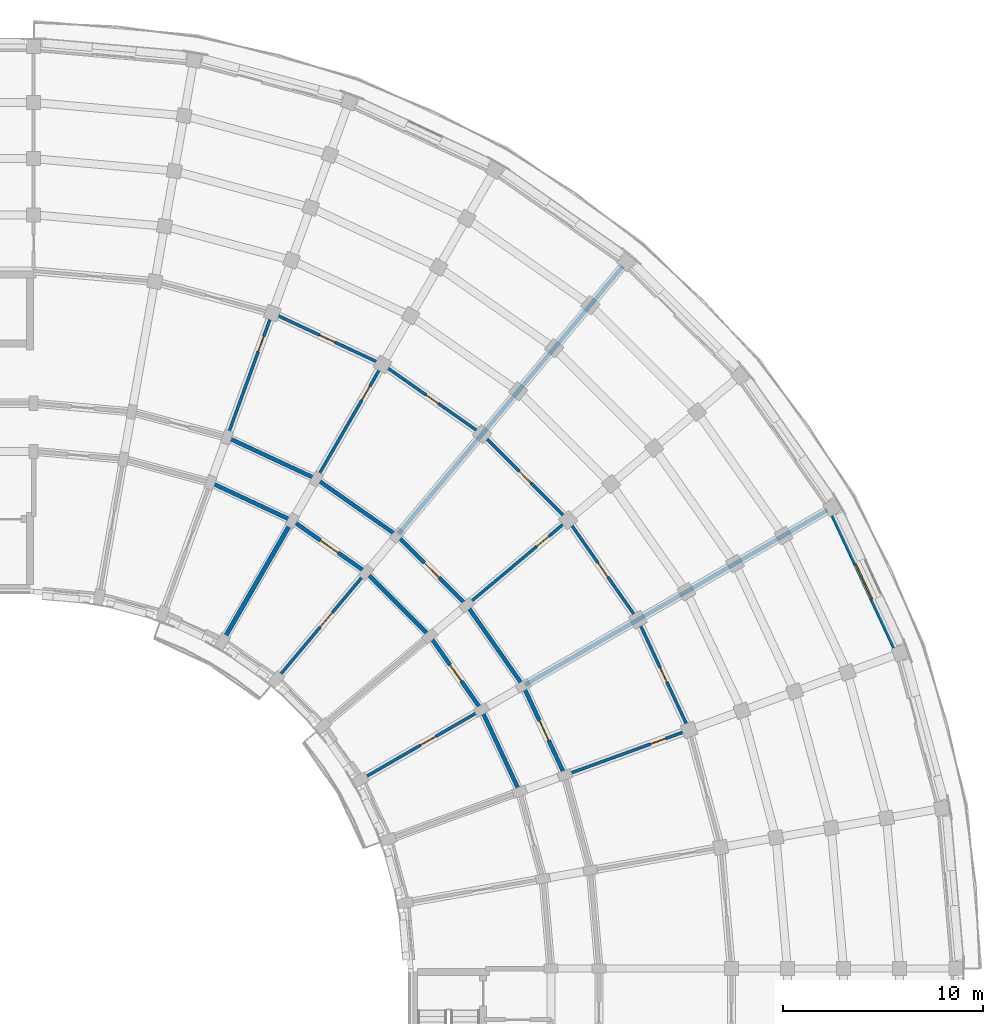
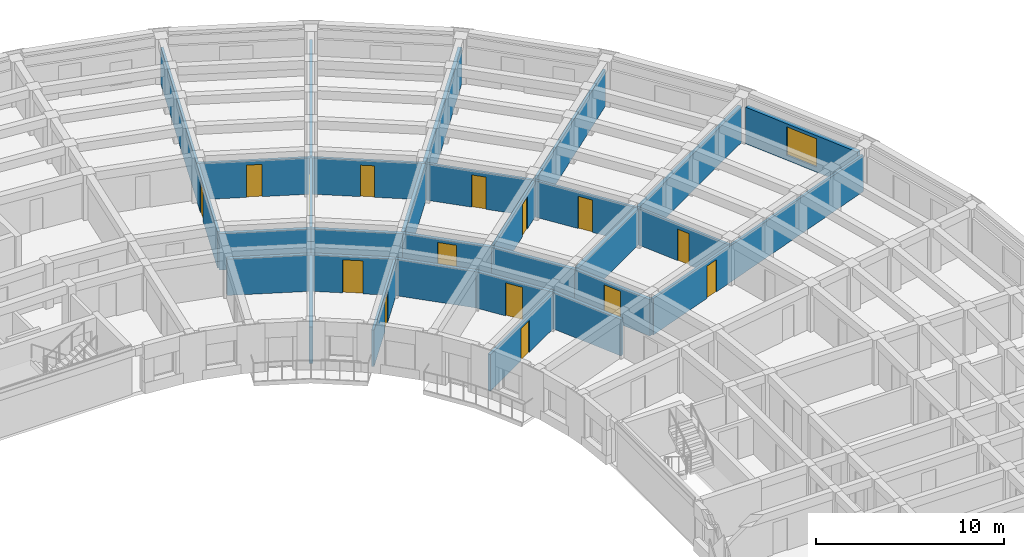
# One storey, part 35 of 57: 25 walls, 15 doors, 1 window, 16 openings.
"""IFC4 building model written with IfcOpenShell, lengths in metres."""

from ifc_helpers import new_model, si_unit, direction, frame, frame_2d, origin, place, context, subcontext, project, spatial, rectangle, extrude, material, layer, layer_set, type_object, element, fill, save


model = new_model("IFC4")

# Units and contexts
model_context = context("Model", 3, precision=1e-05, world=origin(), true_north=direction((0.0, 1.0)))
body_context = subcontext(model_context, "Body", "Model", "MODEL_VIEW")
ifc_project = project(units=[si_unit("LENGTHUNIT", "METRE"), si_unit("AREAUNIT", "SQUARE_METRE"), si_unit("VOLUMEUNIT", "CUBIC_METRE"), si_unit("PLANEANGLEUNIT", "RADIAN"), si_unit("MASSUNIT", "GRAM", prefix="KILO")], contexts=[model_context])

# Site, building, storey
site_placement = place(None, origin())
site = spatial("IfcSite", under=ifc_project, at=site_placement, CompositionType="ELEMENT")
building_placement = place(site_placement, origin())
building = spatial("IfcBuilding", under=site, at=building_placement, Name="Kiranvali Square Residences", CompositionType="ELEMENT")
storey_placement = place(building_placement, frame((0.0, 0.0, 18.14990234375)))
storey = spatial("IfcBuildingStorey", under=building, at=storey_placement, Name="L05", CompositionType="ELEMENT", Elevation=18.14990234375)

# Walls
ifc_material_1 = material(Name="Autoclaved aerated concrete blockwork masonry", Category="masonry")
ifc_layer_1 = layer(ifc_material_1, 0.199951171875)
ifc_layer_set_1 = layer_set([ifc_layer_1], Name="Autoclaved aerated concrete blockwork masonry")
wall_type_1 = type_object("IfcWallType", Name="WL-COR-200", PredefinedType="STANDARD", material=ifc_layer_set_1)
wall_1_placement = place(storey_placement, frame((128.6240234375, 112.044189453125, 0.0), z_axis=(0.0, 0.0, 1.0), x_axis=(0.906307919131, -0.422617978463, 0.0)))
element("IfcWall", 1, at=wall_1_placement, inside=storey, type_object=wall_type_1, Name="L05 architectural wall WL-L05-B-CCI-2", PredefinedType="STANDARD", context=body_context, shape_type="SweptSolid", body=[
    extrude(rectangle(XDim=4.497314453125, YDim=0.199951171875, at=frame_2d((2.24853515625, 0.0))), origin(), (0.0, 0.0, 1.0), 2.3720703125),
])
wall_2_placement = place(storey_placement, frame((129.445068359375, 114.29931640625, 0.0), z_axis=(0.0, 0.0, 1.0), x_axis=(0.906302381024, -0.422629854778, 0.0)))
element("IfcWall", 2, at=wall_2_placement, inside=storey, type_object=wall_type_1, Name="L05 architectural wall WL-L05-B-CCO-2", PredefinedType="STANDARD", context=body_context, shape_type="SweptSolid", body=[
    extrude(rectangle(XDim=4.915283203125, YDim=0.199951171875, at=frame_2d((2.45751953125, 0.0))), origin(), (0.0, 0.0, 1.0), 2.3720703125),
])

# Wall, opening, door
wall_3_placement = place(storey_placement, frame((132.699951171875, 110.1435546875, 0.0), z_axis=(0.0, 0.0, 1.0), x_axis=(0.819155404658, -0.573571637217, 0.0)))
wall_3 = element("IfcWall", 3, at=wall_3_placement, inside=storey, type_object=wall_type_1, Name="L05 architectural wall WL-L05-B-CCI-3", PredefinedType="STANDARD", context=body_context, shape_type="SweptSolid", body=[
    extrude(rectangle(XDim=4.497314453125, YDim=0.199951171875, at=frame_2d((2.24853515625, 0.0))), origin(), (0.0, 0.0, 1.0), 2.3720703125),
])
opening_1_placement = place(wall_3_placement, frame((1.708740234375, 0.0, 0.0)))
opening_1 = element("IfcOpeningElement", 4, at=opening_1_placement, cuts=wall_3, Name="Opening FD-APT-60C", PredefinedType="OPENING", context=body_context, shape_type="SweptSolid", body=[
    extrude(rectangle(XDim=1.080078125, YDim=2.14990234375, at=frame_2d((0.5400390625, 1.074951171875))), frame((0.0, 0.10986328125, 0.0), z_axis=(0.0, -1.0, 0.0), x_axis=(1.0, 0.0, 0.0)), (0.0, 0.0, 1.0), 0.219970703125),
])
ifc_material_2 = material(Name="Fire-rated acoustic hardwood and mineral-core door assembly", Category="wood")
door_type_1 = type_object("IfcDoorType", Name="DR-APT-1080", OperationType="NOTDEFINED", PredefinedType="DOOR", material=ifc_material_2)
door_1_placement = place(opening_1_placement, origin())
door_1 = element("IfcDoor", 5, at=door_1_placement, inside=storey, type_object=door_type_1, Name="L05 door DR-L05-1307 (DR-APT-1080)", OperationType="SINGLE_SWING_LEFT", OverallHeight=2.14990234375, OverallWidth=1.080078125, PredefinedType="DOOR", context=body_context, shape_type="SweptSolid", body=[
    extrude(rectangle(XDim=1.080078125, YDim=2.14990234375, at=frame_2d((0.5400390625, 1.074951171875))), frame((0.0, 0.02490234375, 0.0), z_axis=(0.0, -1.0, 0.0), x_axis=(1.0, 0.0, 0.0)), (0.0, 0.0, 1.0), 0.050048828125),
])
fill(opening_1, door_1)

# Walls
wall_4_placement = place(storey_placement, frame((133.89990234375, 112.221923828125, 0.0), z_axis=(0.0, 0.0, 1.0), x_axis=(0.819140911474, -0.573592335331, 0.0)))
element("IfcWall", 6, at=wall_4_placement, inside=storey, type_object=wall_type_1, Name="L05 architectural wall WL-L05-B-CCO-3", PredefinedType="STANDARD", context=body_context, shape_type="SweptSolid", body=[
    extrude(rectangle(XDim=4.915771484375, YDim=0.199951171875, at=frame_2d((2.4580078125, 0.0))), origin(), (0.0, 0.0, 1.0), 2.3720703125),
])
wall_5_placement = place(storey_placement, frame((136.384033203125, 107.56396484375, 0.0), z_axis=(0.0, 0.0, 1.0), x_axis=(0.707106781187, -0.707106781187, 0.0)))
element("IfcWall", 7, at=wall_5_placement, inside=storey, type_object=wall_type_1, Name="L05 architectural wall WL-L05-B-CCI-4", PredefinedType="STANDARD", context=body_context, shape_type="SweptSolid", body=[
    extrude(rectangle(XDim=4.4970703125, YDim=0.199951171875, at=frame_2d((2.24853515625, 0.0))), origin(), (0.0, 0.0, 1.0), 2.3720703125),
])

# Wall, opening, door
wall_6_placement = place(storey_placement, frame((137.926513671875, 109.40234375, 0.0), z_axis=(0.0, 0.0, 1.0), x_axis=(0.707106781187, -0.707106781187, 0.0)))
wall_6 = element("IfcWall", 8, at=wall_6_placement, inside=storey, type_object=wall_type_1, Name="L05 architectural wall WL-L05-B-CCO-4", PredefinedType="STANDARD", context=body_context, shape_type="SweptSolid", body=[
    extrude(rectangle(XDim=4.91552734375, YDim=0.199951171875, at=frame_2d((2.457763671875, 0.0))), origin(), (0.0, 0.0, 1.0), 2.3720703125),
])
opening_2_placement = place(wall_6_placement, frame((1.937744140625, 0.0, 0.0)))
opening_2 = element("IfcOpeningElement", 9, at=opening_2_placement, cuts=wall_6, Name="Opening FD-APT-60B", PredefinedType="OPENING", context=body_context, shape_type="SweptSolid", body=[
    extrude(rectangle(XDim=1.0400390625, YDim=2.14990234375, at=frame_2d((0.52001953125, 1.074951171875))), frame((0.0, 0.10986328125, 0.0), z_axis=(0.0, -1.0, 0.0), x_axis=(1.0, 0.0, 0.0)), (0.0, 0.0, 1.0), 0.219970703125),
])
door_type_2 = type_object("IfcDoorType", Name="DR-APT-1040", OperationType="NOTDEFINED", PredefinedType="DOOR", material=ifc_material_2)
door_2_placement = place(opening_2_placement, origin())
door_2 = element("IfcDoor", 10, at=door_2_placement, inside=storey, type_object=door_type_2, Name="L05 door DR-L05-1299 (DR-APT-1040)", OperationType="SINGLE_SWING_LEFT", OverallHeight=2.14990234375, OverallWidth=1.0400390625, PredefinedType="DOOR", context=body_context, shape_type="SweptSolid", body=[
    extrude(rectangle(XDim=1.0400390625, YDim=2.14990234375, at=frame_2d((0.52001953125, 1.074951171875))), frame((0.0, 0.02490234375, 0.0), z_axis=(0.0, -1.0, 0.0), x_axis=(1.0, 0.0, 0.0)), (0.0, 0.0, 1.0), 0.050048828125),
])
fill(opening_2, door_2)

wall_7_placement = place(storey_placement, frame((139.56396484375, 104.384033203125, 0.0), z_axis=(0.0, 0.0, 1.0), x_axis=(0.573571637217, -0.819155404658, 0.0)))
wall_7 = element("IfcWall", 11, at=wall_7_placement, inside=storey, type_object=wall_type_1, Name="L05 architectural wall WL-L05-B-CCI-5", PredefinedType="STANDARD", context=body_context, shape_type="SweptSolid", body=[
    extrude(rectangle(XDim=4.497314453125, YDim=0.199951171875, at=frame_2d((2.24853515625, 0.0))), origin(), (0.0, 0.0, 1.0), 2.3720703125),
])
opening_3_placement = place(wall_7_placement, frame((1.74853515625, 0.0, 0.0)))
opening_3 = element("IfcOpeningElement", 12, at=opening_3_placement, cuts=wall_7, Name="Opening FD-APT-60", PredefinedType="OPENING", context=body_context, shape_type="SweptSolid", body=[
    extrude(rectangle(XDim=1.0, YDim=2.14990234375, at=frame_2d((0.5, 1.074951171875))), frame((0.0, 0.10986328125, 0.0), z_axis=(0.0, -1.0, 0.0), x_axis=(1.0, 0.0, 0.0)), (0.0, 0.0, 1.0), 0.219970703125),
])
door_type_3 = type_object("IfcDoorType", Name="DR-APT-1000", OperationType="NOTDEFINED", PredefinedType="DOOR", material=ifc_material_2)
door_3_placement = place(opening_3_placement, frame((1.0, 0.0, 0.0), z_axis=(0.0, 0.0, 1.0), x_axis=(-1.0, 0.0, 0.0)))
door_3 = element("IfcDoor", 13, at=door_3_placement, inside=storey, type_object=door_type_3, Name="L05 door DR-L05-1308 (DR-APT-1000)", OperationType="SINGLE_SWING_RIGHT", OverallHeight=2.14990234375, OverallWidth=1.0, PredefinedType="DOOR", context=body_context, shape_type="SweptSolid", body=[
    extrude(rectangle(XDim=1.0, YDim=2.14990234375, at=frame_2d((0.5, 1.074951171875))), frame((0.0, 0.02490234375, 0.0), z_axis=(0.0, -1.0, 0.0), x_axis=(1.0, 0.0, 0.0)), (0.0, 0.0, 1.0), 0.050048828125),
])
fill(opening_3, door_3)

# Walls
wall_8_placement = place(storey_placement, frame((141.40234375, 105.926513671875, 0.0), z_axis=(0.0, 0.0, 1.0), x_axis=(0.573592335331, -0.819140911474, 0.0)))
element("IfcWall", 14, at=wall_8_placement, inside=storey, type_object=wall_type_1, Name="L05 architectural wall WL-L05-B-CCO-5", PredefinedType="STANDARD", context=body_context, shape_type="SweptSolid", body=[
    extrude(rectangle(XDim=4.915771484375, YDim=0.199951171875, at=frame_2d((2.4580078125, 0.0))), origin(), (0.0, 0.0, 1.0), 2.3720703125),
])
wall_9_placement = place(storey_placement, frame((142.1435546875, 100.699951171875, 0.0), z_axis=(0.0, 0.0, 1.0), x_axis=(0.422617978463, -0.906307919131, 0.0)))
element("IfcWall", 15, at=wall_9_placement, inside=storey, type_object=wall_type_1, Name="L05 architectural wall WL-L05-B-CCI-6", PredefinedType="STANDARD", context=body_context, shape_type="SweptSolid", body=[
    extrude(rectangle(XDim=4.497314453125, YDim=0.199951171875, at=frame_2d((2.24853515625, 0.0))), origin(), (0.0, 0.0, 1.0), 2.3720703125),
])

# Wall, opening, door
wall_10_placement = place(storey_placement, frame((144.221923828125, 101.89990234375, 0.0), z_axis=(0.0, 0.0, 1.0), x_axis=(0.422629854778, -0.906302381024, 0.0)))
wall_10 = element("IfcWall", 16, at=wall_10_placement, inside=storey, type_object=wall_type_1, Name="L05 architectural wall WL-L05-B-CCO-6", PredefinedType="STANDARD", context=body_context, shape_type="SweptSolid", body=[
    extrude(rectangle(XDim=4.915283203125, YDim=0.199951171875, at=frame_2d((2.45751953125, 0.0))), origin(), (0.0, 0.0, 1.0), 2.3720703125),
])
opening_4_placement = place(wall_10_placement, frame((1.917724609375, 0.0, 0.0)))
opening_4 = element("IfcOpeningElement", 17, at=opening_4_placement, cuts=wall_10, Name="Opening FD-APT-60C", PredefinedType="OPENING", context=body_context, shape_type="SweptSolid", body=[
    extrude(rectangle(XDim=1.080078125, YDim=2.14990234375, at=frame_2d((0.5400390625, 1.074951171875))), frame((0.0, 0.10986328125, 0.0), z_axis=(0.0, -1.0, 0.0), x_axis=(1.0, 0.0, 0.0)), (0.0, 0.0, 1.0), 0.219970703125),
])
door_4_placement = place(opening_4_placement, frame((1.080078125, 0.0, 0.0), z_axis=(0.0, 0.0, 1.0), x_axis=(-1.0, 0.0, 0.0)))
door_4 = element("IfcDoor", 18, at=door_4_placement, inside=storey, type_object=door_type_1, Name="L05 door DR-L05-1302 (DR-APT-1080)", OperationType="SINGLE_SWING_RIGHT", OverallHeight=2.14990234375, OverallWidth=1.080078125, PredefinedType="DOOR", context=body_context, shape_type="SweptSolid", body=[
    extrude(rectangle(XDim=1.080078125, YDim=2.14990234375, at=frame_2d((0.5400390625, 1.074951171875))), frame((0.0, 0.02490234375, 0.0), z_axis=(0.0, -1.0, 0.0), x_axis=(1.0, 0.0, 0.0)), (0.0, 0.0, 1.0), 0.050048828125),
])
fill(opening_4, door_4)

# Walls
ifc_layer_2 = layer(ifc_material_1, 0.219970703125)
ifc_layer_set_2 = layer_set([ifc_layer_2], Name="Autoclaved aerated concrete blockwork masonry")
wall_type_2 = type_object("IfcWallType", Name="WL-DEM-220", PredefinedType="STANDARD", material=ifc_layer_set_2)
wall_11_placement = place(storey_placement, frame((129.300048828125, 104.25439453125, 0.0), z_axis=(0.0, 0.0, 1.0), x_axis=(0.499997969693, 0.866026575979, 0.0)))
element("IfcWall", 19, at=wall_11_placement, inside=storey, type_object=wall_type_2, Name="L05 architectural wall WL-L05-B-RADI-3", PredefinedType="STANDARD", context=body_context, shape_type="SweptSolid", body=[
    extrude(rectangle(XDim=6.75, YDim=0.219970703125, at=frame_2d((3.375, 0.0))), origin(), (0.0, 0.0, 1.0), 2.3720703125),
])
for number, where, z_axis, x_axis, name in (
    (20, (137.990966796875, 109.47900390625, 0.0), (0.0, 0.0, 1.0), (0.642784757967, 0.766046835987, 0.0), "L05 architectural wall WL-L05-B-RADO-4"),
    (21, (144.30859375, 101.949951171875, 0.0), (0.0, 0.0, 1.0), (0.866026648973, 0.499997843263, 0.0), "L05 architectural wall WL-L05-B-RADO-6"),
):
    element("IfcWall", number, at=place(storey_placement, frame(where, z_axis=z_axis, x_axis=x_axis)), inside=storey, type_object=wall_type_2, Name=name, PredefinedType="STANDARD", context=body_context, shape_type="SweptSolid", body=[
        extrude(rectangle(XDim=17.419921875, YDim=0.219970703125, at=frame_2d((8.7099609375, 0.0))), origin(), (0.0, 0.0, 1.0), 2.3720703125),
    ])

# Wall, opening, window
ifc_material_3 = material(Name="Breathable lime-rendered clay brick masonry", Category="masonry")
ifc_layer_3 = layer(ifc_material_3, 0.25)
ifc_layer_set_3 = layer_set([ifc_layer_3], Name="Breathable lime-rendered clay brick masonry")
wall_type_3 = type_object("IfcWallType", Name="WL-EXT-250", PredefinedType="STANDARD", material=ifc_layer_set_3)
wall_12_placement = place(storey_placement, frame((159.6826171875, 110.406494140625, 0.0), z_axis=(0.0, 0.0, 1.0), x_axis=(0.422627946127, -0.90630327107, 0.0)))
wall_12 = element("IfcWall", 22, at=wall_12_placement, inside=storey, type_object=wall_type_3, Name="L05 exterior wall B-L05-CRV-06", PredefinedType="STANDARD", context=body_context, shape_type="SweptSolid", body=[
    extrude(rectangle(XDim=7.2666015625, YDim=0.25, at=frame_2d((3.63330078125, 0.0))), origin(), (0.0, 0.0, 1.0), 2.3720703125),
])
opening_5_placement = place(wall_12_placement, frame((2.658447265625, 0.0, 0.322021484375)))
opening_5 = element("IfcOpeningElement", 23, at=opening_5_placement, cuts=wall_12, Name="Opening W-12", PredefinedType="OPENING", context=body_context, shape_type="SweptSolid", body=[
    extrude(rectangle(XDim=1.949951171875, YDim=1.85009765625, at=frame_2d((0.97509765625, 0.925048828125))), frame((0.0, 0.135009765625, 0.0), z_axis=(0.0, -1.0, 0.0), x_axis=(1.0, 0.0, 0.0)), (0.0, 0.0, 1.0), 0.27001953125),
])
ifc_material_4 = material(Name="Solar-control low-e double glazing", Category="glass")
window_type = type_object("IfcWindowType", Name="WIN-RES-1950x1850", PartitioningType="DOUBLE_PANEL_VERTICAL", PredefinedType="WINDOW", material=ifc_material_4)
window_placement = place(opening_5_placement, origin())
window = element("IfcWindow", 24, at=window_placement, inside=storey, type_object=window_type, Name="L05 recessed window B-L05-CRV-06", OverallHeight=1.85009765625, OverallWidth=1.949951171875, PartitioningType="DOUBLE_PANEL_VERTICAL", PredefinedType="WINDOW", context=body_context, shape_type="SweptSolid", body=[
    extrude(rectangle(XDim=1.949951171875, YDim=1.85009765625, at=frame_2d((0.97509765625, 0.925048828125))), frame((0.0, 0.030029296875, 0.0), z_axis=(0.0, -1.0, 0.0), x_axis=(1.0, 0.0, 0.0)), (0.0, 0.0, 1.0), 0.06005859375),
])
fill(opening_5, window)

# Wall, opening, door
ifc_material_5 = material(Name="Acoustic gypsum board drylined partition", Category="gypsum")
ifc_layer_4 = layer(ifc_material_5, 0.14990234375)
ifc_layer_set_4 = layer_set([ifc_layer_4], Name="Acoustic gypsum board drylined partition")
wall_type_4 = type_object("IfcWallType", Name="WL-PRT-150", PredefinedType="PARTITIONING", material=ifc_layer_set_4)
wall_13_placement = place(storey_placement, frame((129.479248046875, 114.393310546875, 0.0), z_axis=(0.0, 0.0, 1.0), x_axis=(0.342022120477, 0.939691901159, 0.0)))
wall_13 = element("IfcWall", 25, at=wall_13_placement, inside=storey, type_object=wall_type_4, Name="L05 architectural wall WL-L05-B-RADO-2", PredefinedType="PARTITIONING", context=body_context, shape_type="SweptSolid", body=[
    extrude(rectangle(XDim=17.419921875, YDim=0.14990234375, at=frame_2d((8.7099609375, 0.0))), origin(), (0.0, 0.0, 1.0), 2.3720703125),
])
opening_6_placement = place(wall_13_placement, frame((4.44970703125, 0.0, 0.0)))
opening_6 = element("IfcOpeningElement", 26, at=opening_6_placement, cuts=wall_13, Name="Opening ID-WET", PredefinedType="OPENING", context=body_context, shape_type="SweptSolid", body=[
    extrude(rectangle(XDim=0.800048828125, YDim=2.10009765625, at=frame_2d((0.39990234375, 1.050048828125))), frame((0.0, 0.0849609375, 0.0), z_axis=(0.0, -1.0, 0.0), x_axis=(1.0, 0.0, 0.0)), (0.0, 0.0, 1.0), 0.169921875),
])
ifc_material_6 = material(Name="Solid seasoned teak hardwood joinery", Category="wood")
door_type_4 = type_object("IfcDoorType", Name="DR-WET-800", OperationType="NOTDEFINED", PredefinedType="DOOR", material=ifc_material_6)
door_5_placement = place(opening_6_placement, origin())
door_5 = element("IfcDoor", 27, at=door_5_placement, inside=storey, type_object=door_type_4, Name="L05 door DR-L05-1285 (DR-WET-800)", OperationType="SINGLE_SWING_LEFT", OverallHeight=2.10009765625, OverallWidth=0.800048828125, PredefinedType="DOOR", context=body_context, shape_type="SweptSolid", body=[
    extrude(rectangle(XDim=0.800048828125, YDim=2.10009765625, at=frame_2d((0.39990234375, 1.050048828125))), frame((0.0, 0.02490234375, 0.0), z_axis=(0.0, -1.0, 0.0), x_axis=(1.0, 0.0, 0.0)), (0.0, 0.0, 1.0), 0.050048828125),
])
fill(opening_6, door_5)

wall_14_placement = place(storey_placement, frame((133.949951171875, 112.30859375, 0.0), z_axis=(0.0, 0.0, 1.0), x_axis=(0.499997843263, 0.866026648973, 0.0)))
wall_14 = element("IfcWall", 28, at=wall_14_placement, inside=storey, type_object=wall_type_4, Name="L05 architectural wall WL-L05-B-RADO-3", PredefinedType="PARTITIONING", context=body_context, shape_type="SweptSolid", body=[
    extrude(rectangle(XDim=17.419921875, YDim=0.14990234375, at=frame_2d((8.7099609375, 0.0))), origin(), (0.0, 0.0, 1.0), 2.3720703125),
])
opening_7_placement = place(wall_14_placement, frame((4.44970703125, 0.0, 0.0)))
opening_7 = element("IfcOpeningElement", 29, at=opening_7_placement, cuts=wall_14, Name="Opening ID-WET", PredefinedType="OPENING", context=body_context, shape_type="SweptSolid", body=[
    extrude(rectangle(XDim=0.800048828125, YDim=2.10009765625, at=frame_2d((0.39990234375, 1.050048828125))), frame((0.0, 0.0849609375, 0.0), z_axis=(0.0, -1.0, 0.0), x_axis=(1.0, 0.0, 0.0)), (0.0, 0.0, 1.0), 0.169921875),
])
door_6_placement = place(opening_7_placement, frame((0.800048828125, 0.0, 0.0), z_axis=(0.0, 0.0, 1.0), x_axis=(-1.0, 0.0, 0.0)))
door_6 = element("IfcDoor", 30, at=door_6_placement, inside=storey, type_object=door_type_4, Name="L05 door DR-L05-1286 (DR-WET-800)", OperationType="SINGLE_SWING_RIGHT", OverallHeight=2.10009765625, OverallWidth=0.800048828125, PredefinedType="DOOR", context=body_context, shape_type="SweptSolid", body=[
    extrude(rectangle(XDim=0.800048828125, YDim=2.10009765625, at=frame_2d((0.39990234375, 1.050048828125))), frame((0.0, 0.02490234375, 0.0), z_axis=(0.0, -1.0, 0.0), x_axis=(1.0, 0.0, 0.0)), (0.0, 0.0, 1.0), 0.050048828125),
])
fill(opening_7, door_6)

wall_15_placement = place(storey_placement, frame((132.012939453125, 102.354736328125, 0.0), z_axis=(0.0, 0.0, 1.0), x_axis=(0.642784846501, 0.766046761698, 0.0)))
wall_15 = element("IfcWall", 31, at=wall_15_placement, inside=storey, type_object=wall_type_4, Name="L05 architectural wall WL-L05-B-RADI-4", PredefinedType="PARTITIONING", context=body_context, shape_type="SweptSolid", body=[
    extrude(rectangle(XDim=6.75, YDim=0.14990234375, at=frame_2d((3.375, 0.0))), origin(), (0.0, 0.0, 1.0), 2.3720703125),
])
opening_8_placement = place(wall_15_placement, frame((3.242431640625, 0.0, 0.0)))
opening_8 = element("IfcOpeningElement", 32, at=opening_8_placement, cuts=wall_15, Name="Opening ID-2", PredefinedType="OPENING", context=body_context, shape_type="SweptSolid", body=[
    extrude(rectangle(XDim=0.93994140625, YDim=2.10009765625, at=frame_2d((0.469970703125, 1.050048828125))), frame((0.0, 0.0849609375, 0.0), z_axis=(0.0, -1.0, 0.0), x_axis=(1.0, 0.0, 0.0)), (0.0, 0.0, 1.0), 0.169921875),
])
door_type_5 = type_object("IfcDoorType", Name="DR-INT-940", OperationType="NOTDEFINED", PredefinedType="DOOR", material=ifc_material_6)
door_7_placement = place(opening_8_placement, origin())
door_7 = element("IfcDoor", 33, at=door_7_placement, inside=storey, type_object=door_type_5, Name="L05 door DR-L05-1287 (DR-INT-940)", OperationType="SINGLE_SWING_LEFT", OverallHeight=2.10009765625, OverallWidth=0.93994140625, PredefinedType="DOOR", context=body_context, shape_type="SweptSolid", body=[
    extrude(rectangle(XDim=0.93994140625, YDim=2.10009765625, at=frame_2d((0.469970703125, 1.050048828125))), frame((0.0, 0.02490234375, 0.0), z_axis=(0.0, -1.0, 0.0), x_axis=(1.0, 0.0, 0.0)), (0.0, 0.0, 1.0), 0.050048828125),
])
fill(opening_8, door_7)

wall_16_placement = place(storey_placement, frame((141.47900390625, 105.990966796875, 0.0), z_axis=(0.0, 0.0, 1.0), x_axis=(0.766046835987, 0.642784757967, 0.0)))
wall_16 = element("IfcWall", 34, at=wall_16_placement, inside=storey, type_object=wall_type_4, Name="L05 architectural wall WL-L05-B-RADO-5", PredefinedType="PARTITIONING", context=body_context, shape_type="SweptSolid", body=[
    extrude(rectangle(XDim=17.419921875, YDim=0.14990234375, at=frame_2d((8.7099609375, 0.0))), origin(), (0.0, 0.0, 1.0), 2.3720703125),
])
opening_9_placement = place(wall_16_placement, frame((4.44970703125, 0.0, 0.0)))
opening_9 = element("IfcOpeningElement", 35, at=opening_9_placement, cuts=wall_16, Name="Opening ID-WET", PredefinedType="OPENING", context=body_context, shape_type="SweptSolid", body=[
    extrude(rectangle(XDim=0.800048828125, YDim=2.10009765625, at=frame_2d((0.39990234375, 1.050048828125))), frame((0.0, 0.0849609375, 0.0), z_axis=(0.0, -1.0, 0.0), x_axis=(1.0, 0.0, 0.0)), (0.0, 0.0, 1.0), 0.169921875),
])
door_8_placement = place(opening_9_placement, frame((0.800048828125, 0.0, 0.0), z_axis=(0.0, 0.0, 1.0), x_axis=(-1.0, 0.0, 0.0)))
door_8 = element("IfcDoor", 36, at=door_8_placement, inside=storey, type_object=door_type_4, Name="L05 door DR-L05-1288 (DR-WET-800)", OperationType="SINGLE_SWING_RIGHT", OverallHeight=2.10009765625, OverallWidth=0.800048828125, PredefinedType="DOOR", context=body_context, shape_type="SweptSolid", body=[
    extrude(rectangle(XDim=0.800048828125, YDim=2.10009765625, at=frame_2d((0.39990234375, 1.050048828125))), frame((0.0, 0.02490234375, 0.0), z_axis=(0.0, -1.0, 0.0), x_axis=(1.0, 0.0, 0.0)), (0.0, 0.0, 1.0), 0.050048828125),
])
fill(opening_9, door_8)

wall_17_placement = place(storey_placement, frame((136.25439453125, 97.300048828125, 0.0), z_axis=(0.0, 0.0, 1.0), x_axis=(0.866026575979, 0.499997969693, 0.0)))
wall_17 = element("IfcWall", 37, at=wall_17_placement, inside=storey, type_object=wall_type_4, Name="L05 architectural wall WL-L05-B-RADI-6", PredefinedType="PARTITIONING", context=body_context, shape_type="SweptSolid", body=[
    extrude(rectangle(XDim=6.75, YDim=0.14990234375, at=frame_2d((3.375, 0.0))), origin(), (0.0, 0.0, 1.0), 2.3720703125),
])
opening_10_placement = place(wall_17_placement, frame((3.262451171875, 0.0, 0.0)))
opening_10 = element("IfcOpeningElement", 38, at=opening_10_placement, cuts=wall_17, Name="Opening ID-1", PredefinedType="OPENING", context=body_context, shape_type="SweptSolid", body=[
    extrude(rectangle(XDim=0.89990234375, YDim=2.10009765625, at=frame_2d((0.449951171875, 1.050048828125))), frame((0.0, 0.0849609375, 0.0), z_axis=(0.0, -1.0, 0.0), x_axis=(1.0, 0.0, 0.0)), (0.0, 0.0, 1.0), 0.169921875),
])
door_type_6 = type_object("IfcDoorType", Name="DR-INT-900", OperationType="NOTDEFINED", PredefinedType="DOOR", material=ifc_material_6)
door_9_placement = place(opening_10_placement, origin())
door_9 = element("IfcDoor", 39, at=door_9_placement, inside=storey, type_object=door_type_6, Name="L05 door DR-L05-1289 (DR-INT-900)", OperationType="SINGLE_SWING_LEFT", OverallHeight=2.10009765625, OverallWidth=0.89990234375, PredefinedType="DOOR", context=body_context, shape_type="SweptSolid", body=[
    extrude(rectangle(XDim=0.89990234375, YDim=2.10009765625, at=frame_2d((0.449951171875, 1.050048828125))), frame((0.0, 0.02490234375, 0.0), z_axis=(0.0, -1.0, 0.0), x_axis=(1.0, 0.0, 0.0)), (0.0, 0.0, 1.0), 0.050048828125),
])
fill(opening_10, door_9)

wall_18_placement = place(storey_placement, frame((146.393310546875, 97.479248046875, 0.0), z_axis=(0.0, 0.0, 1.0), x_axis=(0.939691901159, 0.342022120477, 0.0)))
wall_18 = element("IfcWall", 40, at=wall_18_placement, inside=storey, type_object=wall_type_4, Name="L05 architectural wall WL-L05-B-RADO-7", PredefinedType="PARTITIONING", context=body_context, shape_type="SweptSolid", body=[
    extrude(rectangle(XDim=17.419921875, YDim=0.14990234375, at=frame_2d((8.7099609375, 0.0))), origin(), (0.0, 0.0, 1.0), 2.3720703125),
])
opening_11_placement = place(wall_18_placement, frame((4.44970703125, 0.0, 0.0)))
opening_11 = element("IfcOpeningElement", 41, at=opening_11_placement, cuts=wall_18, Name="Opening ID-WET", PredefinedType="OPENING", context=body_context, shape_type="SweptSolid", body=[
    extrude(rectangle(XDim=0.800048828125, YDim=2.10009765625, at=frame_2d((0.39990234375, 1.050048828125))), frame((0.0, 0.0849609375, 0.0), z_axis=(0.0, -1.0, 0.0), x_axis=(1.0, 0.0, 0.0)), (0.0, 0.0, 1.0), 0.169921875),
])
door_10_placement = place(opening_11_placement, frame((0.800048828125, 0.0, 0.0), z_axis=(0.0, 0.0, 1.0), x_axis=(-1.0, 0.0, 0.0)))
door_10 = element("IfcDoor", 42, at=door_10_placement, inside=storey, type_object=door_type_4, Name="L05 door DR-L05-1290 (DR-WET-800)", OperationType="SINGLE_SWING_RIGHT", OverallHeight=2.10009765625, OverallWidth=0.800048828125, PredefinedType="DOOR", context=body_context, shape_type="SweptSolid", body=[
    extrude(rectangle(XDim=0.800048828125, YDim=2.10009765625, at=frame_2d((0.39990234375, 1.050048828125))), frame((0.0, 0.02490234375, 0.0), z_axis=(0.0, -1.0, 0.0), x_axis=(1.0, 0.0, 0.0)), (0.0, 0.0, 1.0), 0.050048828125),
])
fill(opening_11, door_10)

ifc_layer_5 = layer(ifc_material_1, 0.14990234375)
ifc_layer_set_5 = layer_set([ifc_layer_5], Name="Autoclaved aerated concrete blockwork masonry")
wall_type_5 = type_object("IfcWallType", Name="WL-WET-150", PredefinedType="PLUMBINGWALL", material=ifc_layer_set_5)
wall_19_placement = place(storey_placement, frame((131.702392578125, 120.501220703125, 0.0), z_axis=(0.0, 0.0, 1.0), x_axis=(0.906312656069, -0.42260781991, 0.0)))
wall_19 = element("IfcWall", 43, at=wall_19_placement, inside=storey, type_object=wall_type_5, Name="L05 architectural wall WL-L05-B-CWET-2", PredefinedType="PLUMBINGWALL", context=body_context, shape_type="SweptSolid", body=[
    extrude(rectangle(XDim=6.06591796875, YDim=0.14990234375, at=frame_2d((3.032958984375, 0.0))), origin(), (0.0, 0.0, 1.0), 2.3720703125),
])
opening_12_placement = place(wall_19_placement, frame((2.613037109375, 0.0, 0.0)))
opening_12 = element("IfcOpeningElement", 44, at=opening_12_placement, cuts=wall_19, Name="Opening ID-WET2", PredefinedType="OPENING", context=body_context, shape_type="SweptSolid", body=[
    extrude(rectangle(XDim=0.840087890625, YDim=2.10009765625, at=frame_2d((0.419921875, 1.050048828125))), frame((0.0, 0.0849609375, 0.0), z_axis=(0.0, -1.0, 0.0), x_axis=(1.0, 0.0, 0.0)), (0.0, 0.0, 1.0), 0.169921875),
])
door_type_7 = type_object("IfcDoorType", Name="DR-WET-840", OperationType="NOTDEFINED", PredefinedType="DOOR", material=ifc_material_6)
door_11_placement = place(opening_12_placement, origin())
door_11 = element("IfcDoor", 45, at=door_11_placement, inside=storey, type_object=door_type_7, Name="L05 door DR-L05-1297 (DR-WET-840)", OperationType="SINGLE_SWING_LEFT", OverallHeight=2.10009765625, OverallWidth=0.840087890625, PredefinedType="DOOR", context=body_context, shape_type="SweptSolid", body=[
    extrude(rectangle(XDim=0.840087890625, YDim=2.10009765625, at=frame_2d((0.419921875, 1.050048828125))), frame((0.0, 0.02490234375, 0.0), z_axis=(0.0, -1.0, 0.0), x_axis=(1.0, 0.0, 0.0)), (0.0, 0.0, 1.0), 0.050048828125),
])
fill(opening_12, door_11)

wall_20_placement = place(storey_placement, frame((137.199951171875, 117.937744140625, 0.0), z_axis=(0.0, 0.0, 1.0), x_axis=(0.81913926159, -0.573594691504, 0.0)))
wall_20 = element("IfcWall", 46, at=wall_20_placement, inside=storey, type_object=wall_type_5, Name="L05 architectural wall WL-L05-B-CWET-3", PredefinedType="PLUMBINGWALL", context=body_context, shape_type="SweptSolid", body=[
    extrude(rectangle(XDim=6.066162109375, YDim=0.14990234375, at=frame_2d((3.033203125, 0.0))), origin(), (0.0, 0.0, 1.0), 2.3720703125),
])
opening_13_placement = place(wall_20_placement, frame((2.653076171875, 0.0, 0.0)))
opening_13 = element("IfcOpeningElement", 47, at=opening_13_placement, cuts=wall_20, Name="Opening ID-WET0", PredefinedType="OPENING", context=body_context, shape_type="SweptSolid", body=[
    extrude(rectangle(XDim=0.760009765625, YDim=2.050048828125, at=frame_2d((0.3798828125, 1.02490234375))), frame((0.0, 0.0849609375, 0.0), z_axis=(0.0, -1.0, 0.0), x_axis=(1.0, 0.0, 0.0)), (0.0, 0.0, 1.0), 0.169921875),
])
door_type_8 = type_object("IfcDoorType", Name="DR-WET-760", OperationType="NOTDEFINED", PredefinedType="DOOR", material=ifc_material_6)
door_12_placement = place(opening_13_placement, frame((0.760009765625, 0.0, 0.0), z_axis=(0.0, 0.0, 1.0), x_axis=(-1.0, 0.0, 0.0)))
door_12 = element("IfcDoor", 48, at=door_12_placement, inside=storey, type_object=door_type_8, Name="L05 door DR-L05-1298 (DR-WET-760)", OperationType="SINGLE_SWING_RIGHT", OverallHeight=2.050048828125, OverallWidth=0.760009765625, PredefinedType="DOOR", context=body_context, shape_type="SweptSolid", body=[
    extrude(rectangle(XDim=0.760009765625, YDim=2.050048828125, at=frame_2d((0.3798828125, 1.02490234375))), frame((0.0, 0.02490234375, 0.0), z_axis=(0.0, -1.0, 0.0), x_axis=(1.0, 0.0, 0.0)), (0.0, 0.0, 1.0), 0.050048828125),
])
fill(opening_13, door_12)

wall_21_placement = place(storey_placement, frame((142.1689453125, 114.458251953125, 0.0), z_axis=(0.0, 0.0, 1.0), x_axis=(0.707106781187, -0.707106781187, 0.0)))
wall_21 = element("IfcWall", 49, at=wall_21_placement, inside=storey, type_object=wall_type_5, Name="L05 architectural wall WL-L05-B-CWET-4", PredefinedType="PLUMBINGWALL", context=body_context, shape_type="SweptSolid", body=[
    extrude(rectangle(XDim=6.06591796875, YDim=0.14990234375, at=frame_2d((3.032958984375, 0.0))), origin(), (0.0, 0.0, 1.0), 2.3720703125),
])
opening_14_placement = place(wall_21_placement, frame((2.633056640625, 0.0, 0.0)))
opening_14 = element("IfcOpeningElement", 50, at=opening_14_placement, cuts=wall_21, Name="Opening ID-WET", PredefinedType="OPENING", context=body_context, shape_type="SweptSolid", body=[
    extrude(rectangle(XDim=0.800048828125, YDim=2.10009765625, at=frame_2d((0.39990234375, 1.050048828125))), frame((0.0, 0.0849609375, 0.0), z_axis=(0.0, -1.0, 0.0), x_axis=(1.0, 0.0, 0.0)), (0.0, 0.0, 1.0), 0.169921875),
])
door_13_placement = place(opening_14_placement, frame((0.800048828125, 0.0, 0.0), z_axis=(0.0, 0.0, 1.0), x_axis=(-1.0, 0.0, 0.0)))
door_13 = element("IfcDoor", 51, at=door_13_placement, inside=storey, type_object=door_type_4, Name="L05 door DR-L05-1300 (DR-WET-800)", OperationType="SINGLE_SWING_RIGHT", OverallHeight=2.10009765625, OverallWidth=0.800048828125, PredefinedType="DOOR", context=body_context, shape_type="SweptSolid", body=[
    extrude(rectangle(XDim=0.800048828125, YDim=2.10009765625, at=frame_2d((0.39990234375, 1.050048828125))), frame((0.0, 0.02490234375, 0.0), z_axis=(0.0, -1.0, 0.0), x_axis=(1.0, 0.0, 0.0)), (0.0, 0.0, 1.0), 0.050048828125),
])
fill(opening_14, door_13)

wall_22_placement = place(storey_placement, frame((146.458251953125, 110.1689453125, 0.0), z_axis=(0.0, 0.0, 1.0), x_axis=(0.573594691504, -0.81913926159, 0.0)))
wall_22 = element("IfcWall", 52, at=wall_22_placement, inside=storey, type_object=wall_type_5, Name="L05 architectural wall WL-L05-B-CWET-5", PredefinedType="PLUMBINGWALL", context=body_context, shape_type="SweptSolid", body=[
    extrude(rectangle(XDim=6.066162109375, YDim=0.14990234375, at=frame_2d((3.033203125, 0.0))), origin(), (0.0, 0.0, 1.0), 2.3720703125),
])
opening_15_placement = place(wall_22_placement, frame((2.613037109375, 0.0, 0.0)))
opening_15 = element("IfcOpeningElement", 53, at=opening_15_placement, cuts=wall_22, Name="Opening ID-WET2", PredefinedType="OPENING", context=body_context, shape_type="SweptSolid", body=[
    extrude(rectangle(XDim=0.840087890625, YDim=2.10009765625, at=frame_2d((0.419921875, 1.050048828125))), frame((0.0, 0.0849609375, 0.0), z_axis=(0.0, -1.0, 0.0), x_axis=(1.0, 0.0, 0.0)), (0.0, 0.0, 1.0), 0.169921875),
])
door_14_placement = place(opening_15_placement, origin())
door_14 = element("IfcDoor", 54, at=door_14_placement, inside=storey, type_object=door_type_7, Name="L05 door DR-L05-1301 (DR-WET-840)", OperationType="SINGLE_SWING_LEFT", OverallHeight=2.10009765625, OverallWidth=0.840087890625, PredefinedType="DOOR", context=body_context, shape_type="SweptSolid", body=[
    extrude(rectangle(XDim=0.840087890625, YDim=2.10009765625, at=frame_2d((0.419921875, 1.050048828125))), frame((0.0, 0.02490234375, 0.0), z_axis=(0.0, -1.0, 0.0), x_axis=(1.0, 0.0, 0.0)), (0.0, 0.0, 1.0), 0.050048828125),
])
fill(opening_15, door_14)

wall_23_placement = place(storey_placement, frame((149.937744140625, 105.199951171875, 0.0), z_axis=(0.0, 0.0, 1.0), x_axis=(0.42260781991, -0.906312656069, 0.0)))
wall_23 = element("IfcWall", 55, at=wall_23_placement, inside=storey, type_object=wall_type_5, Name="L05 architectural wall WL-L05-B-CWET-6", PredefinedType="PLUMBINGWALL", context=body_context, shape_type="SweptSolid", body=[
    extrude(rectangle(XDim=6.06591796875, YDim=0.14990234375, at=frame_2d((3.032958984375, 0.0))), origin(), (0.0, 0.0, 1.0), 2.3720703125),
])
opening_16_placement = place(wall_23_placement, frame((2.653076171875, 0.0, 0.0)))
opening_16 = element("IfcOpeningElement", 56, at=opening_16_placement, cuts=wall_23, Name="Opening ID-WET0", PredefinedType="OPENING", context=body_context, shape_type="SweptSolid", body=[
    extrude(rectangle(XDim=0.760009765625, YDim=2.050048828125, at=frame_2d((0.3798828125, 1.02490234375))), frame((0.0, 0.0849609375, 0.0), z_axis=(0.0, -1.0, 0.0), x_axis=(1.0, 0.0, 0.0)), (0.0, 0.0, 1.0), 0.169921875),
])
door_15_placement = place(opening_16_placement, origin())
door_15 = element("IfcDoor", 57, at=door_15_placement, inside=storey, type_object=door_type_8, Name="L05 door DR-L05-1303 (DR-WET-760)", OperationType="SINGLE_SWING_LEFT", OverallHeight=2.050048828125, OverallWidth=0.760009765625, PredefinedType="DOOR", context=body_context, shape_type="SweptSolid", body=[
    extrude(rectangle(XDim=0.760009765625, YDim=2.050048828125, at=frame_2d((0.3798828125, 1.02490234375))), frame((0.0, 0.02490234375, 0.0), z_axis=(0.0, -1.0, 0.0), x_axis=(1.0, 0.0, 0.0)), (0.0, 0.0, 1.0), 0.050048828125),
])
fill(opening_16, door_15)

save(model, "model.ifc")
